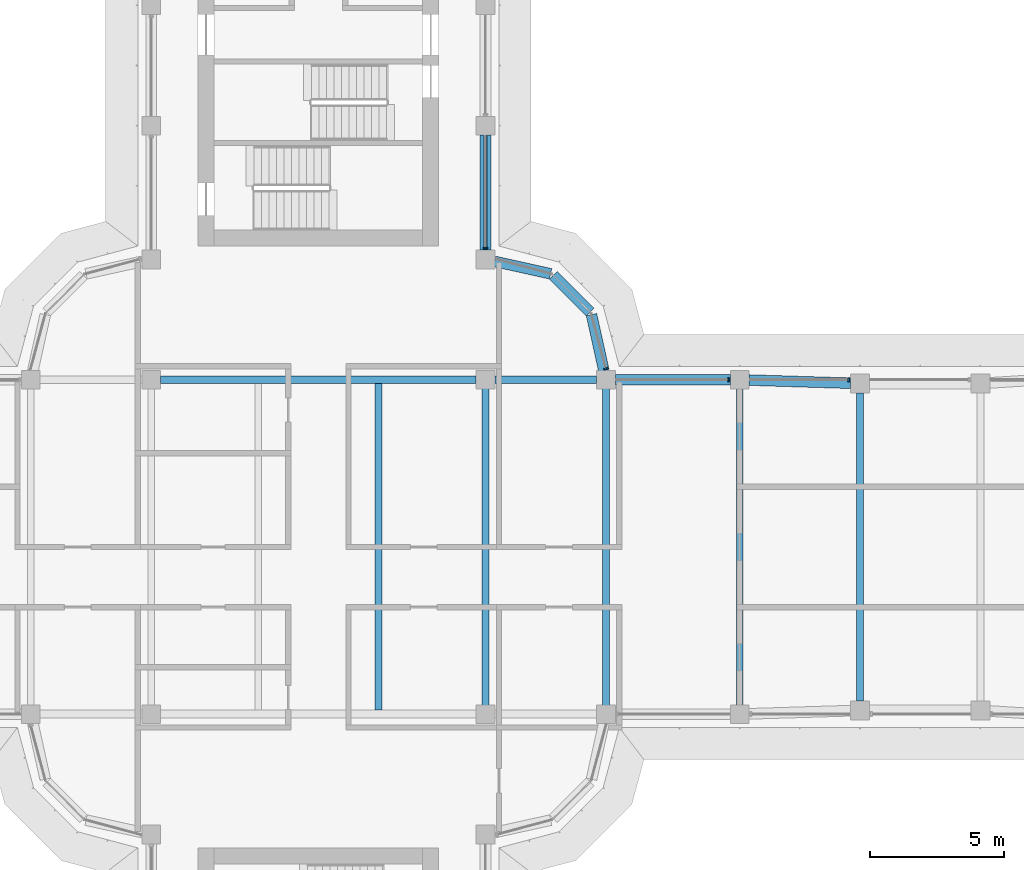
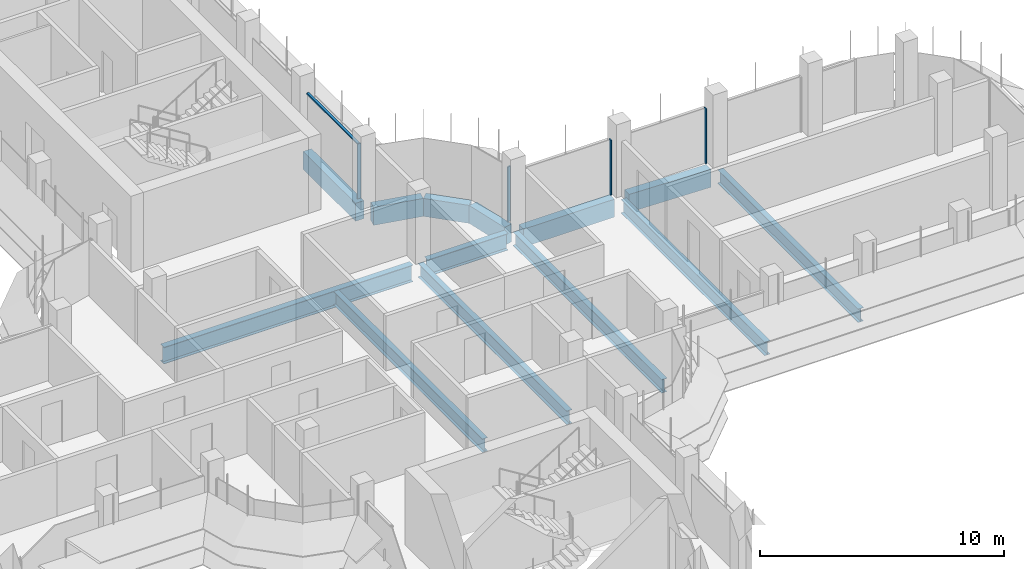
# One storey, part 8 of 19: 13 beams, 5 members, 3 elements without a shape of their own.
"""IFC4 building model written with IfcOpenShell, lengths in metres."""

from ifc_helpers import new_model, si_unit, direction, frame, origin, origin_2d, place, context, subcontext, project, spatial, polyline, rectangle, i_section, outline, extrude, source, transform, mapped, material, material_profile, profile_set, type_object, element, aggregate, save


model = new_model("IFC4")

# Units and contexts
model_context = context("Model", 3, precision=1e-05, world=origin(), true_north=direction((0.0, 1.0)))
body_context = subcontext(model_context, "Body", "Model", "MODEL_VIEW")
ifc_project = project(units=[si_unit("LENGTHUNIT", "METRE"), si_unit("AREAUNIT", "SQUARE_METRE"), si_unit("VOLUMEUNIT", "CUBIC_METRE"), si_unit("PLANEANGLEUNIT", "RADIAN"), si_unit("MASSUNIT", "GRAM", prefix="KILO")], contexts=[model_context])

# Site, building, storey
site_placement = place(None, origin())
site = spatial("IfcSite", under=ifc_project, at=site_placement, CompositionType="ELEMENT")
building_placement = place(site_placement, origin())
building = spatial("IfcBuilding", under=site, at=building_placement, Name="Zarbagh Exchange Tower", CompositionType="ELEMENT")
storey_placement = place(building_placement, frame((0.0, 0.0, 195.39990234375)))
storey = spatial("IfcBuildingStorey", under=building, at=storey_placement, Name="L47", CompositionType="ELEMENT", Elevation=195.39990234375)

# Beams
ifc_material_1 = material(Name="Steel ASTM A992 Gr 50", Category="steel")
ifc_material_profile_1 = material_profile(ifc_material_1, i_section(OverallWidth=0.25390625, OverallDepth=0.67822265625, WebThickness=0.01171875, FlangeThickness=0.016357421875, at=origin_2d()), Name="W27X84")
ifc_profile_set_1 = profile_set([ifc_material_profile_1], Name="Steel ASTM A992 Gr 50")
beam_type_1 = type_object("IfcBeamType", Name="Floor beam W27X84", PredefinedType="BEAM", material=ifc_profile_set_1)
for number, where, z_axis, x_axis, name in (
    (1, (2.25, -6.10400390625, -0.489013671875), (0.0, 1.0, 0.0), (-1.0, 0.0, 0.0), "Steel floor beam"),
    (2, (6.25, -6.10400390625, -0.489013671875), (0.0, 1.0, 0.0), (-1.0, 0.0, 0.0), "Steel floor beam"),
    (3, (10.75, -6.10400390625, -0.489013671875), (0.0, 1.0, 0.0), (-1.0, 0.0, 0.0), "Steel floor beam"),
):
    element("IfcBeam", number, at=place(storey_placement, frame(where, z_axis=z_axis, x_axis=x_axis)), inside=storey, type_object=beam_type_1, Name=name, PredefinedType="BEAM", context=body_context, shape_type="SweptSolid", body=[
        extrude(i_section(OverallWidth=0.25390625, OverallDepth=0.67822265625, WebThickness=0.01171875, FlangeThickness=0.016357421875, at=origin_2d()), origin(), (0.0, 0.0, 1.0), 12.2080078125),
    ])
beam_1_placement = place(storey_placement, frame((15.75, -5.89990234375, -0.489013671875), z_axis=(0.0, 1.0, 0.0), x_axis=(-1.0, 0.0, 0.0)))
element("IfcBeam", 4, at=beam_1_placement, inside=storey, type_object=beam_type_1, Name="Steel floor beam", PredefinedType="BEAM", context=body_context, shape_type="SweptSolid", body=[
    extrude(i_section(OverallWidth=0.25390625, OverallDepth=0.67822265625, WebThickness=0.01171875, FlangeThickness=0.016357421875, at=origin_2d()), origin(), (0.0, 0.0, 1.0), 11.7998046875),
])
beam_2_placement = place(storey_placement, frame((20.25, -5.760009765625, -0.489013671875), z_axis=(0.0, 1.0, 0.0), x_axis=(-1.0, 0.0, 0.0)))
element("IfcBeam", 5, at=beam_2_placement, inside=storey, type_object=beam_type_1, Name="Steel floor beam", PredefinedType="BEAM", context=body_context, shape_type="SweptSolid", body=[
    extrude(i_section(OverallWidth=0.25390625, OverallDepth=0.67822265625, WebThickness=0.01171875, FlangeThickness=0.016357421875, at=origin_2d()), origin(), (0.0, 0.0, 1.0), 11.52001953125),
])
ifc_material_profile_2 = material_profile(ifc_material_1, i_section(OverallWidth=0.2919921875, OverallDepth=0.835693359375, WebThickness=0.013916015625, FlangeThickness=0.018798828125, at=origin_2d()), Name="W33X118")
ifc_profile_set_2 = profile_set([ifc_material_profile_2], Name="Steel ASTM A992 Gr 50")
beam_type_2 = type_object("IfcBeamType", Name="Floor girder W33X118", PredefinedType="BEAM", material=ifc_profile_set_2)
beam_3_placement = place(storey_placement, frame((-5.89990234375, 6.25, -0.567626953125), z_axis=(1.0, 0.0, 0.0), x_axis=(0.0, 1.0, 0.0)))
element("IfcBeam", 6, at=beam_3_placement, inside=storey, type_object=beam_type_2, Name="Steel girder", PredefinedType="BEAM", context=body_context, shape_type="SweptSolid", body=[
    extrude(i_section(OverallWidth=0.2919921875, OverallDepth=0.835693359375, WebThickness=0.013916015625, FlangeThickness=0.018798828125, at=origin_2d()), origin(), (0.0, 0.0, 1.0), 11.7998046875),
])
beam_4_placement = place(storey_placement, frame((6.60009765625, 6.25, -0.567626953125), z_axis=(1.0, 0.0, 0.0), x_axis=(0.0, 1.0, 0.0)))
element("IfcBeam", 7, at=beam_4_placement, inside=storey, type_object=beam_type_2, Name="Steel girder", PredefinedType="BEAM", context=body_context, shape_type="SweptSolid", body=[
    extrude(i_section(OverallWidth=0.2919921875, OverallDepth=0.835693359375, WebThickness=0.013916015625, FlangeThickness=0.018798828125, at=origin_2d()), origin(), (0.0, 0.0, 1.0), 3.7998046875),
])
ifc_material_2 = material(Name="Concrete C50/60", Category="concrete")
ifc_material_profile_3 = material_profile(ifc_material_2, rectangle(XDim=0.39990234375, YDim=0.89990234375, at=origin_2d()), Name="RC spandrel beam 400 x 900 C50/60")
ifc_profile_set_3 = profile_set([ifc_material_profile_3], Name="Concrete C50/60")
beam_type_3 = type_object("IfcBeamType", Name="RC spandrel beam 400 x 900 C50/60", PredefinedType="SPANDREL", material=ifc_profile_set_3)
beam_5_placement = place(storey_placement, frame((6.25, 15.39990234375, -0.599853515625), z_axis=(0.0, -1.0, 0.0), x_axis=(1.0, 0.0, 0.0)))
element("IfcBeam", 8, at=beam_5_placement, inside=storey, type_object=beam_type_3, Name="RC spandrel beam", PredefinedType="SPANDREL", context=body_context, shape_type="SweptSolid", body=[
    extrude(rectangle(XDim=0.39990234375, YDim=0.89990234375, at=origin_2d()), origin(), (0.0, 0.0, 1.0), 4.2998046875),
])
beam_6_placement = place(storey_placement, frame((6.591796875, 10.67431640625, -0.599853515625), z_axis=(0.97639036545, -0.216013551096, 0.0), x_axis=(0.216013551096, 0.97639036545, 0.0)))
element("IfcBeam", 9, at=beam_6_placement, inside=storey, type_object=beam_type_3, Name="RC spandrel beam", PredefinedType="SPANDREL", context=body_context, shape_type="SweptSolid", body=[
    extrude(rectangle(XDim=0.39990234375, YDim=0.89990234375, at=origin_2d()), origin(), (0.0, 0.0, 1.0), 2.142822265625),
])
beam_7_placement = place(storey_placement, frame((8.782470703125, 10.15771484375, -0.599853515625), z_axis=(0.707106781187, -0.707106781187, 0.0), x_axis=(0.707106781187, 0.707106781187, 0.0)))
element("IfcBeam", 10, at=beam_7_placement, inside=storey, type_object=beam_type_3, Name="RC spandrel beam", PredefinedType="SPANDREL", context=body_context, shape_type="SweptSolid", body=[
    extrude(rectangle(XDim=0.39990234375, YDim=0.89990234375, at=origin_2d()), origin(), (0.0, 0.0, 1.0), 1.94482421875),
])
beam_8_placement = place(storey_placement, frame((10.21142578125, 8.68408203125, -0.599853515625), z_axis=(0.216013551096, -0.97639036545, 0.0), x_axis=(0.97639036545, 0.216013551096, 0.0)))
element("IfcBeam", 11, at=beam_8_placement, inside=storey, type_object=beam_type_3, Name="RC spandrel beam", PredefinedType="SPANDREL", context=body_context, shape_type="SweptSolid", body=[
    extrude(rectangle(XDim=0.39990234375, YDim=0.89990234375, at=origin_2d()), origin(), (0.0, 0.0, 1.0), 2.142822265625),
])
beam_9_placement = place(storey_placement, frame((11.10009765625, 6.25, -0.599853515625), z_axis=(1.0, 0.0, 0.0), x_axis=(0.0, 1.0, 0.0)))
element("IfcBeam", 12, at=beam_9_placement, inside=storey, type_object=beam_type_3, Name="RC spandrel beam", PredefinedType="SPANDREL", context=body_context, shape_type="SweptSolid", body=[
    extrude(rectangle(XDim=0.39990234375, YDim=0.89990234375, at=origin_2d()), origin(), (0.0, 0.0, 1.0), 4.2998046875),
])
beam_10_placement = place(storey_placement, frame((16.099853515625, 6.239013671875, -0.599853515625), z_axis=(0.999516950199, -0.031078389046, 0.0), x_axis=(0.031078389046, 0.999516950199, 0.0)))
element("IfcBeam", 13, at=beam_10_placement, inside=storey, type_object=beam_type_3, Name="RC spandrel beam", PredefinedType="SPANDREL", context=body_context, shape_type="SweptSolid", body=[
    extrude(rectangle(XDim=0.39990234375, YDim=0.89990234375, at=origin_2d()), origin(), (0.0, 0.0, 1.0), 3.80224609375),
])

# Curtain wall, members
ifc_material_3 = material(Name="Anodised aluminium frame and glazing", Category="aluminium")
curtain_wall_type = type_object("IfcCurtainWallType", Name="CWB Ribbon glazing, upper zones", PredefinedType="NOTDEFINED", material=ifc_material_3)
curtain_wall_1_placement = place(storey_placement, origin())
curtain_wall_1 = element("IfcCurtainWall", 14, at=curtain_wall_1_placement, inside=storey, type_object=curtain_wall_type, Name="CWB16 curtain wall", PredefinedType="NOTDEFINED")
ifc_material_4 = material(Name="Anodised aluminium frame", Category="aluminium")
member_type_1 = type_object("IfcMemberType", Name="MUB Mullion, anodised aluminium frame", PredefinedType="MULLION", material=ifc_material_4)
shared_shape_1 = source(origin(), body_context, "Body", "SweptSolid", [
    extrude(outline(polyline([(0.0, -0.080078125), (0.06005859375, -0.080078125), (0.06005859375, 0.080078125), (0.0, 0.080078125), (0.0, -0.080078125)])), origin(), (0.0, 0.0, 1.0), 2.75),
])
placement = place(storey_placement, origin())
member_1 = element("IfcMember", 15, at=placement, type_object=member_type_1, Name="CWB16 mullion 3.1", PredefinedType="MULLION", context=body_context, shape_type="MappedRepresentation", body=[
    mapped(shared_shape_1, transform((19.85986328125, 6.25, 0.0), x_axis=(-1.0, 0.0, 0.0), y_axis=(0.0, -1.0, 0.0), z_axis=(0.0, 0.0, 1.0))),
])
member_2 = element("IfcMember", 16, at=placement, type_object=member_type_1, Name="CWB16 mullion 4.1", PredefinedType="MULLION", context=body_context, shape_type="MappedRepresentation", body=[
    mapped(shared_shape_1, transform((15.35986328125, 6.25, 0.0), x_axis=(-1.0, 0.0, 0.0), y_axis=(0.0, -1.0, 0.0), z_axis=(0.0, 0.0, 1.0))),
])
aggregate(curtain_wall_1, [member_1, member_2])

# Curtain wall, member
curtain_wall_2_placement = place(storey_placement, origin())
curtain_wall_2 = element("IfcCurtainWall", 17, at=curtain_wall_2_placement, inside=storey, type_object=curtain_wall_type, Name="CWB17 curtain wall", PredefinedType="NOTDEFINED")
member_3 = element("IfcMember", 18, at=placement, type_object=member_type_1, Name="CWB17 mullion 1.1", PredefinedType="MULLION", context=body_context, shape_type="MappedRepresentation", body=[
    mapped(shared_shape_1, transform((10.76171875, 6.64013671875, 0.0), x_axis=(-0.258824779902, 0.965924289636, 0.0), y_axis=(-0.965924289636, -0.258824779902, 0.0), z_axis=(0.0, 0.0, 1.0))),
])
aggregate(curtain_wall_2, [member_3])

# Curtain wall, members
curtain_wall_3_placement = place(storey_placement, origin())
curtain_wall_3 = element("IfcCurtainWall", 19, at=curtain_wall_3_placement, inside=storey, type_object=curtain_wall_type, Name="CWB20 curtain wall", PredefinedType="NOTDEFINED")
member_4 = element("IfcMember", 20, at=placement, type_object=member_type_1, Name="CWB20 mullion 1.1", PredefinedType="MULLION", context=body_context, shape_type="MappedRepresentation", body=[
    mapped(shared_shape_1, transform((6.25, 11.14013671875, 0.0), x_axis=(0.0, 1.0, 0.0), y_axis=(-1.0, 0.0, 0.0), z_axis=(0.0, 0.0, 1.0))),
])
member_type_2 = type_object("IfcMemberType", Name="TRB Transom, anodised aluminium frame", PredefinedType="USERDEFINED", material=ifc_material_4)
shared_shape_2 = source(origin(), body_context, "Body", "SweptSolid", [
    extrude(outline(polyline([(-0.06005859375, -0.06005859375), (0.0, -0.06005859375), (0.0, 0.06005859375), (-0.06005859375, 0.06005859375), (-0.06005859375, -0.06005859375)])), origin(), (0.0, 0.0, 1.0), 4.159912109375),
])
member_5 = element("IfcMember", 21, at=placement, type_object=member_type_2, Name="CWB20 transom 1.1", ObjectType="TRANSOM", PredefinedType="USERDEFINED", context=body_context, shape_type="MappedRepresentation", body=[
    mapped(shared_shape_2, transform((6.25, 11.199951171875, 2.75), x_axis=(0.0, 0.0, 1.0), y_axis=(1.0, 0.0, 0.0), z_axis=(0.0, 1.0, 0.0))),
])
aggregate(curtain_wall_3, [member_4, member_5])

save(model, "model.ifc")
